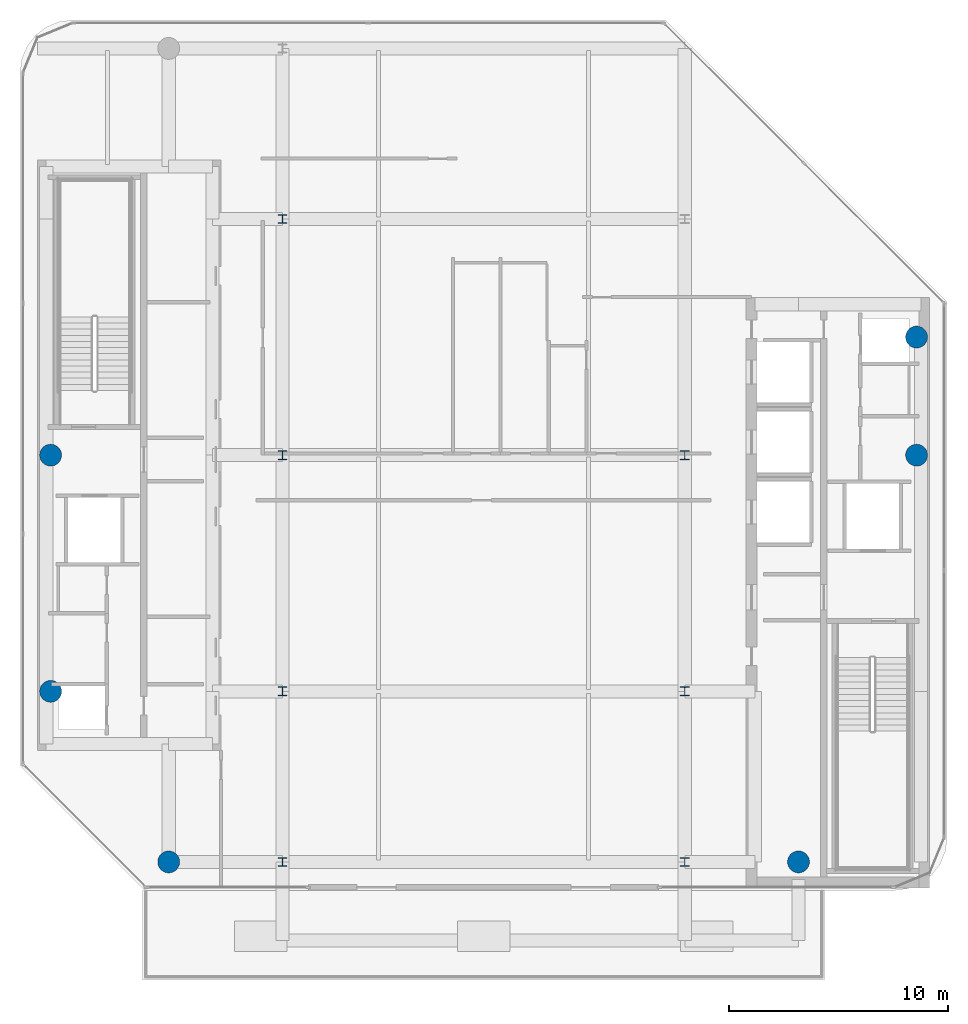
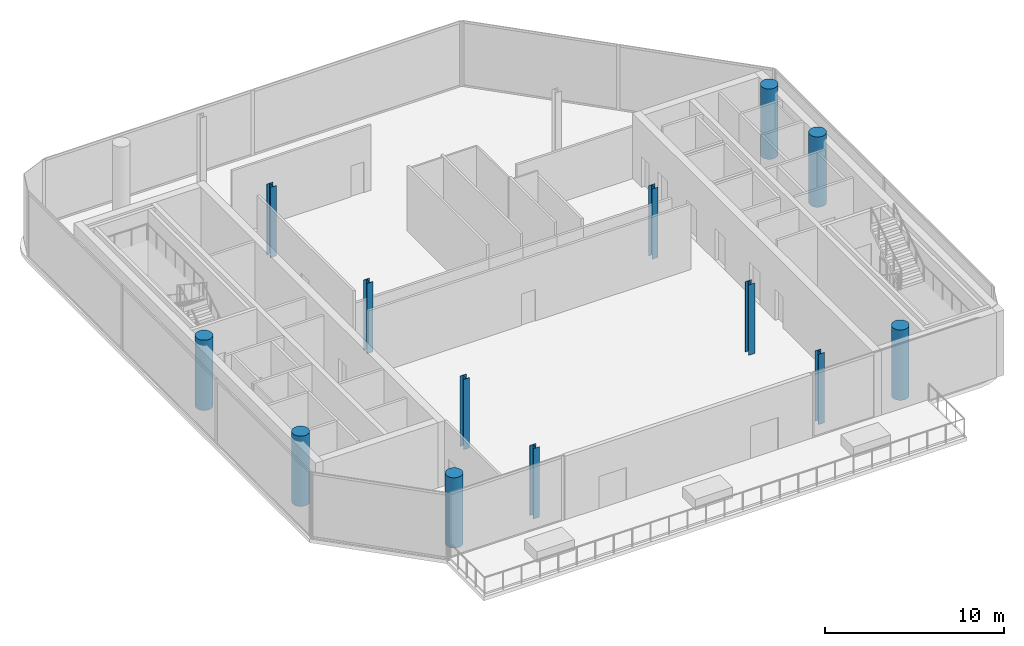
# One storey, part 1 of 14: 13 columns.
"""IFC4 building model written with IfcOpenShell, lengths in metres."""

import ifcopenshell
import ifcopenshell.guid

model = None  # the IFC model being written
_history = None  # IfcOwnerHistory: only IFC2X3 demands one
_inside = {}  # id of a spatial element -> (the spatial element, [elements in it])
_under = {}  # id of a project, library or spatial element -> (it, [spatial elements below it])
_declared = {}  # id of a project -> (the project, [libraries it declares])
_typed = {}  # id of a type object -> (the type object, [elements of that type])
_made_of = {}  # id of a material, layer set ... -> (it, [elements and type objects made of it])


def new_model(schema):
    """Start an empty IFC model of exactly this schema.

    Asked for "IFC4X3", IfcOpenShell would pick the latest addendum, in which some entities
    have other attributes; the version numbers below select the first issue.
    IFC2X3 requires an IfcOwnerHistory on every rooted entity: one is made here for all.
    """
    global model, _history
    if schema == "IFC4X3":
        model = ifcopenshell.file(schema_version=(4, 3, 0, 0))
    else:
        model = ifcopenshell.file(schema=schema)
    _inside.clear()
    _under.clear()
    _declared.clear()
    _typed.clear()
    _made_of.clear()
    _history = None
    if model.schema == "IFC2X3":
        org = make("IfcOrganization", Name="unknown")
        user = make(
            "IfcPersonAndOrganization",
            ThePerson=make("IfcPerson", FamilyName="unknown"),
            TheOrganization=org,
        )
        app = make(
            "IfcApplication",
            ApplicationDeveloper=org,
            Version="unknown",
            ApplicationFullName="unknown",
            ApplicationIdentifier="unknown",
        )
        _history = make(
            "IfcOwnerHistory",
            OwningUser=user,
            OwningApplication=app,
            ChangeAction="ADDED",
            CreationDate=0,
        )
    return model


def make(cls, **values):
    """One entity of the class cls with the attributes given. An attribute that is None is left unset."""
    return model.create_entity(
        cls, **{name: value for name, value in values.items() if value is not None}
    )


def rooted(cls, **values):
    """An entity with a GlobalId (a new one), such as an element, a storey or a relation."""
    return make(cls, GlobalId=ifcopenshell.guid.new(), OwnerHistory=_history, **values)


def si_unit(unit_type, name, prefix=None):
    """IfcSIUnit, for example si_unit("LENGTHUNIT", "METRE", prefix="MILLI")."""
    return make("IfcSIUnit", UnitType=unit_type, Prefix=prefix, Name=name)


def assignment(units):
    """IfcUnitAssignment: the units of a project."""
    return None if units is None else make("IfcUnitAssignment", Units=units)


def point(xyz):
    """IfcCartesianPoint."""
    return None if xyz is None else make("IfcCartesianPoint", Coordinates=xyz)


def direction(xyz):
    """IfcDirection."""
    return None if xyz is None else make("IfcDirection", DirectionRatios=xyz)


def frame(location, z_axis=None, x_axis=None):
    """IfcAxis2Placement3D, a coordinate frame: its origin and axes. An axis left out is left unset."""
    return make(
        "IfcAxis2Placement3D",
        Location=point(location),
        Axis=direction(z_axis),
        RefDirection=direction(x_axis),
    )


def frame_2d(location, x_axis=None):
    """IfcAxis2Placement2D, a coordinate frame in the plane: its origin and x axis."""
    return make(
        "IfcAxis2Placement2D", Location=point(location), RefDirection=direction(x_axis)
    )


def origin():
    """The frame at (0, 0, 0) with its axes left unset."""
    return frame((0.0, 0.0, 0.0))


def origin_2d():
    """The frame at (0, 0) in the plane with its x axis left unset."""
    return frame_2d((0.0, 0.0))


def place(relative_to, where):
    """IfcLocalPlacement: puts the frame where relative to a parent placement (None: the world)."""
    return make(
        "IfcLocalPlacement", PlacementRelTo=relative_to, RelativePlacement=where
    )


def context(
    kind, dimensions, precision=None, world=None, true_north=None, identifier=None
):
    """IfcGeometricRepresentationContext, for example the 3D "Model" context."""
    return make(
        "IfcGeometricRepresentationContext",
        ContextIdentifier=identifier,
        ContextType=kind,
        CoordinateSpaceDimension=dimensions,
        Precision=precision,
        WorldCoordinateSystem=world,
        TrueNorth=true_north,
    )


def subcontext(parent, identifier, kind, view, scale=None):
    """IfcGeometricRepresentationSubContext, for example "Body" below "Model"."""
    return make(
        "IfcGeometricRepresentationSubContext",
        ContextIdentifier=identifier,
        ContextType=kind,
        ParentContext=parent,
        TargetScale=scale,
        TargetView=view,
    )


def project(units=None, contexts=None):
    """IfcProject with its units and contexts."""
    return rooted(
        "IfcProject",
        Name="project",
        RepresentationContexts=contexts,
        UnitsInContext=assignment(units),
    )


def spatial(cls, under=None, at=None, **own):
    """A site, building, storey or space (cls), placed at a placement, below another one or the project."""
    s = rooted(cls, ObjectPlacement=at, **own)
    if under is not None:
        _under.setdefault(under.id(), (under, []))[1].append(s)
    return s


def profile(cls, at=None, kind="AREA", **sizes):
    """A parametric profile (cls). Its sizes go by their IFC names, for example OverallWidth=200.0."""
    return make(cls, ProfileType=kind, Position=at, **sizes)


def circle(**sizes):
    """IfcCircleProfileDef."""
    return profile("IfcCircleProfileDef", **sizes)


def i_section(**sizes):
    """IfcIShapeProfileDef."""
    return profile("IfcIShapeProfileDef", **sizes)


def extrude(swept, where, along, depth):
    """IfcExtrudedAreaSolid: the profile swept, set in the frame where, extruded along a direction by depth."""
    return make(
        "IfcExtrudedAreaSolid",
        SweptArea=swept,
        Position=where,
        ExtrudedDirection=direction(along),
        Depth=depth,
    )


def shape(context_of_items, identifier, shape_type, items):
    """IfcShapeRepresentation: the items that make up one representation, for example the "Body"."""
    return make(
        "IfcShapeRepresentation",
        ContextOfItems=context_of_items,
        RepresentationIdentifier=identifier,
        RepresentationType=shape_type,
        Items=items,
    )


def material(Name=None, Category=None):
    """IfcMaterial."""
    return make("IfcMaterial", Name=Name, Category=Category)


def material_profile(
    of_material, cross_section, Name=None, Category=None, Priority=None
):
    """IfcMaterialProfile: a cross section and its material."""
    return make(
        "IfcMaterialProfile",
        Name=Name,
        Material=of_material,
        Profile=cross_section,
        Priority=Priority,
        Category=Category,
    )


def profile_set(profiles, Name=None, composite=None):
    """IfcMaterialProfileSet."""
    return make(
        "IfcMaterialProfileSet",
        Name=Name,
        MaterialProfiles=profiles,
        CompositeProfile=composite,
    )


def made_of(thing, what):
    """Note that an element or type object is made of a material, layer set ...; save() writes the relation."""
    if what is not None:
        _made_of.setdefault(what.id(), (what, []))[1].append(thing)
    return thing


def type_object(cls, material=None, **own):
    """A type object (cls), such as IfcWallType, which elements share."""
    return made_of(rooted(cls, **own), material)


def element(
    cls,
    number,
    at=None,
    inside=None,
    cuts=None,
    type_object=None,
    material=None,
    context=None,
    identifier="Body",
    shape_type=None,
    held_by="IfcProductDefinitionShape",
    body=None,
    shapes=None,
    **own,
):
    """One element of the class cls, such as IfcWall. Its Tag is "e" and its number.

    at: its placement. inside: the storey or other place that contains it. cuts: it is an
    opening in that element (IfcRelVoidsElement). A single representation is given by context,
    identifier, shape_type and body (its items); several are given by shapes. held_by: the class
    of the entity that holds the representations. save() writes the other relations.
    """
    e = rooted(cls, Tag="e%d" % number, ObjectPlacement=at, **own)
    if body is not None:
        shapes = [shape(context, identifier, shape_type, body)]
    if shapes is not None:
        e.Representation = make(held_by, Representations=shapes)
    if inside is not None:
        _inside.setdefault(inside.id(), (inside, []))[1].append(e)
    if cuts is not None:
        rooted(
            "IfcRelVoidsElement", RelatingBuildingElement=cuts, RelatedOpeningElement=e
        )
    if type_object is not None:
        _typed.setdefault(type_object.id(), (type_object, []))[1].append(e)
    return made_of(e, material)


def aggregate(whole, parts):
    """IfcRelAggregates: a whole, such as a stair, and the parts it consists of."""
    return rooted("IfcRelAggregates", RelatingObject=whole, RelatedObjects=parts)


def save(model, path):
    """Write the relations noted so far, then the file.

    IfcRelAggregates (storeys below a building ...), IfcRelContainedInSpatialStructure (elements
    in a storey), IfcRelDefinesByType, IfcRelAssociatesMaterial and IfcRelDeclares: one each for
    every whole, place, type object, material and project.
    """
    for whole, parts in _under.values():
        aggregate(whole, parts)
    for where, things in _inside.values():
        rooted(
            "IfcRelContainedInSpatialStructure",
            RelatedElements=things,
            RelatingStructure=where,
        )
    for kind, things in _typed.values():
        rooted("IfcRelDefinesByType", RelatedObjects=things, RelatingType=kind)
    for what, things in _made_of.values():
        rooted("IfcRelAssociatesMaterial", RelatedObjects=things, RelatingMaterial=what)
    for by, libraries in _declared.values():
        rooted("IfcRelDeclares", RelatingContext=by, RelatedDefinitions=libraries)
    model.write(path)


model = new_model("IFC4")

# Units and contexts
model_context = context("Model", 3, precision=1e-05, world=origin(), true_north=direction((0.0, 1.0)))
body_context = subcontext(model_context, "Body", "Model", "MODEL_VIEW")
ifc_project = project(units=[si_unit("LENGTHUNIT", "METRE"), si_unit("AREAUNIT", "SQUARE_METRE"), si_unit("VOLUMEUNIT", "CUBIC_METRE"), si_unit("PLANEANGLEUNIT", "RADIAN"), si_unit("MASSUNIT", "GRAM", prefix="KILO")], contexts=[model_context])

# Site, building, storey
site_placement = place(None, origin())
site = spatial("IfcSite", under=ifc_project, at=site_placement, CompositionType="ELEMENT")
building_placement = place(site_placement, origin())
building = spatial("IfcBuilding", under=site, at=building_placement, Name="Khairoan Windgate Tower", CompositionType="ELEMENT")
storey_placement = place(building_placement, frame((0.0, 0.0, 320.39990234375)))
storey = spatial("IfcBuildingStorey", under=building, at=storey_placement, Name="L77", CompositionType="ELEMENT", Elevation=320.39990234375)

# Columns
ifc_material_1 = material(Name="Concrete C60/75", Category="concrete")
ifc_material_profile_1 = material_profile(ifc_material_1, circle(Radius=0.5, at=origin_2d()))
ifc_profile_set_1 = profile_set([ifc_material_profile_1], Name="Concrete C60/75")
column_type_1 = type_object("IfcColumnType", Name="Column C-P1 RC-D1000", PredefinedType="COLUMN", material=ifc_profile_set_1)
for number, where, z_axis, x_axis, name in (
    (1, (-14.39990234375, -18.60009765625, 0.0), (0.0, 0.0, 1.0), (1.0, 0.0, 0.0), "Column L77-10"),
    (2, (14.39990234375, -18.60009765625, 0.0), (0.0, 0.0, 1.0), (1.0, 0.0, 0.0), "Column L77-12"),
    (3, (-19.800048828125, -10.800048828125, 0.0), (0.0, 0.0, 1.0), (1.0, 0.0, 0.0), "Column L77-13"),
    (4, (-19.800048828125, 0.0, 0.0), (0.0, 0.0, 1.0), (1.0, 0.0, 0.0), "Column L77-14"),
    (5, (19.800048828125, 0.0, 0.0), (0.0, 0.0, 1.0), (1.0, 0.0, 0.0), "Column L77-15"),
    (6, (19.800048828125, 5.39990234375, 0.0), (0.0, 0.0, 1.0), (1.0, 0.0, 0.0), "Column L77-16"),
):
    element("IfcColumn", number, at=place(storey_placement, frame(where, z_axis=z_axis, x_axis=x_axis)), inside=storey, type_object=column_type_1, Name=name, PredefinedType="COLUMN", context=body_context, shape_type="SweptSolid", body=[
        extrude(circle(Radius=0.5, at=origin_2d()), origin(), (0.0, 0.0, 1.0), 4.800048828125),
    ])
ifc_material_2 = material(Name="Steel S355", Category="steel")
ifc_material_profile_2 = material_profile(ifc_material_2, i_section(OverallWidth=0.39990234375, OverallDepth=0.39990234375, WebThickness=0.012939453125, FlangeThickness=0.02099609375, FilletRadius=0.02197265625, at=origin_2d()))
ifc_profile_set_2 = profile_set([ifc_material_profile_2], Name="Steel S355")
column_type_2 = type_object("IfcColumnType", Name="Steel Column SC4 H400x400x13x21", PredefinedType="COLUMN", material=ifc_profile_set_2)
for number, where, z_axis, x_axis, name in (
    (7, (-9.199951171875, -18.60009765625, 0.0), (0.0, 0.0, 1.0), (1.0, 0.0, 0.0), "Column L77-01"),
    (8, (-9.199951171875, -10.800048828125, 0.0), (0.0, 0.0, 1.0), (1.0, 0.0, 0.0), "Column L77-02"),
    (9, (-9.199951171875, 0.0, 0.0), (0.0, 0.0, 1.0), (1.0, 0.0, 0.0), "Column L77-03"),
    (10, (-9.199951171875, 10.800048828125, 0.0), (0.0, 0.0, 1.0), (1.0, 0.0, 0.0), "Column L77-04"),
    (11, (9.199951171875, -18.60009765625, 0.0), (0.0, 0.0, 1.0), (1.0, 0.0, 0.0), "Column L77-06"),
    (12, (9.199951171875, -10.800048828125, 0.0), (0.0, 0.0, 1.0), (1.0, 0.0, 0.0), "Column L77-07"),
    (13, (9.199951171875, 0.0, 0.0), (0.0, 0.0, 1.0), (1.0, 0.0, 0.0), "Column L77-08"),
):
    element("IfcColumn", number, at=place(storey_placement, frame(where, z_axis=z_axis, x_axis=x_axis)), inside=storey, type_object=column_type_2, Name=name, PredefinedType="COLUMN", context=body_context, shape_type="SweptSolid", body=[
        extrude(i_section(OverallWidth=0.39990234375, OverallDepth=0.39990234375, WebThickness=0.012939453125, FlangeThickness=0.02099609375, FilletRadius=0.02197265625, at=origin_2d()), origin(), (0.0, 0.0, 1.0), 4.800048828125),
    ])

save(model, "model.ifc")
